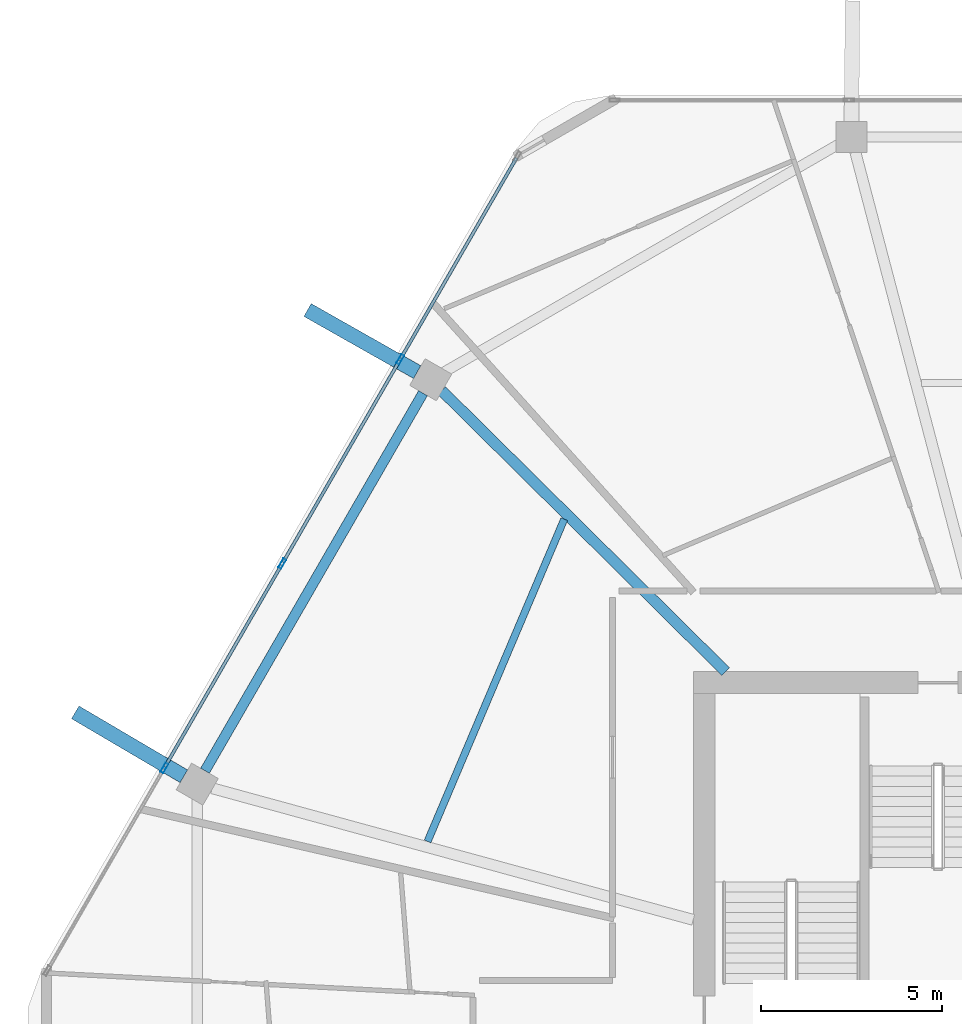
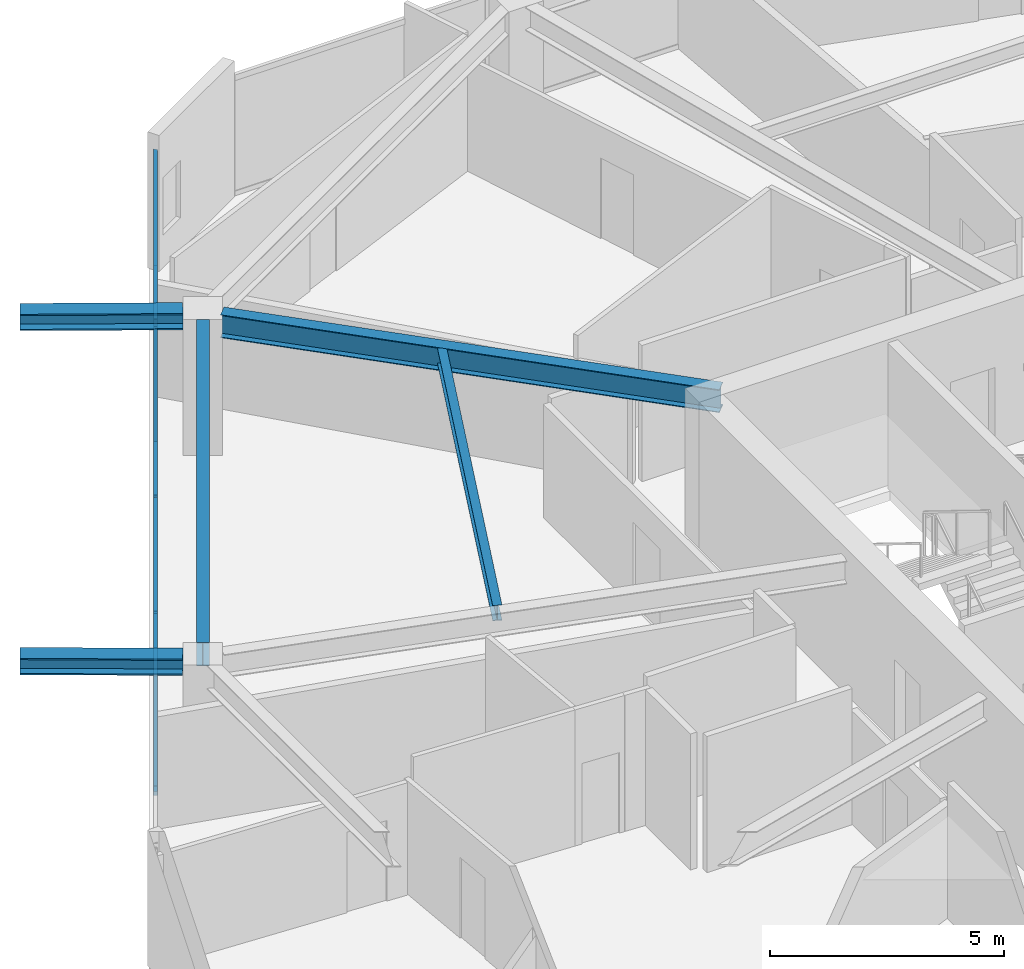
# One storey, part 11 of 26: 9 members, 5 beams, 1 element without a shape of its own.
"""IFC4 building model written with IfcOpenShell, lengths in metres."""

from ifc_helpers import new_model, si_unit, direction, frame, origin, origin_2d, place, context, subcontext, project, spatial, hollow_rectangle, i_section, extrude, material, material_profile, profile_set, type_object, element, aggregate, save


model = new_model("IFC4")

# Units and contexts
model_context = context("Model", 3, precision=1e-05, world=origin(), true_north=direction((0.0, 1.0)))
body_context = subcontext(model_context, "Body", "Model", "MODEL_VIEW")
ifc_project = project(units=[si_unit("LENGTHUNIT", "METRE"), si_unit("AREAUNIT", "SQUARE_METRE"), si_unit("VOLUMEUNIT", "CUBIC_METRE"), si_unit("PLANEANGLEUNIT", "RADIAN"), si_unit("MASSUNIT", "GRAM", prefix="KILO")], contexts=[model_context])

# Site, building, storey
site_placement = place(None, origin())
site = spatial("IfcSite", under=ifc_project, at=site_placement, CompositionType="ELEMENT")
building_placement = place(site_placement, origin())
building = spatial("IfcBuilding", under=site, at=building_placement, Name="Zuhravey Tower", CompositionType="ELEMENT")
storey_placement = place(building_placement, frame((0.0, 0.0, 295.800048828125)))
storey = spatial("IfcBuildingStorey", under=building, at=storey_placement, Name="L75", CompositionType="ELEMENT", Elevation=295.800048828125)

# Curtain wall, members
ifc_material_1 = material(Name="Thermally broken anodised aluminium", Category="aluminium")
curtain_wall_type = type_object("IfcCurtainWallType", Name="Zone 3-4 High-Rise Curtain Wall CW4", PredefinedType="NOTDEFINED", material=ifc_material_1)
curtain_wall_placement = place(storey_placement, origin())
curtain_wall = element("IfcCurtainWall", 1, at=curtain_wall_placement, inside=storey, type_object=curtain_wall_type, Name="L75 CW4 CW-L75-F3-1", PredefinedType="NOTDEFINED")
ifc_material_2 = material(Name="Anodised aluminium", Category="aluminium")
ifc_material_profile_1 = material_profile(ifc_material_2, hollow_rectangle(XDim=0.090087890625, YDim=0.284912109375, WallThickness=0.0048828125, at=origin_2d()), Name="ALU-RHS-90x285x5")
ifc_profile_set_1 = profile_set([ifc_material_profile_1], Name="Anodised aluminium")
member_type_1 = type_object("IfcMemberType", Name="Curtain-Wall Mullion 90x180", PredefinedType="MULLION", material=ifc_profile_set_1)
member_1_placement = place(storey_placement, frame((10.608154296875, 39.147216796875, 0.0), z_axis=(0.0, 0.0, 1.0), x_axis=(-0.866024851021, 0.500000957414, 0.0)))
member_1 = element("IfcMember", 2, at=member_1_placement, type_object=member_type_1, Name="CW4 mullion 2", PredefinedType="MULLION", context=body_context, shape_type="SweptSolid", body=[
    extrude(hollow_rectangle(XDim=0.090087890625, YDim=0.284912109375, WallThickness=0.0048828125, at=origin_2d()), origin(), (0.0, 0.0, 1.0), 3.1220703125),
])
member_2_placement = place(storey_placement, frame((13.861328125, 44.78173828125, 0.0), z_axis=(0.0, 0.0, 1.0), x_axis=(-0.866024851021, 0.500000957414, 0.0)))
member_2 = element("IfcMember", 3, at=member_2_placement, type_object=member_type_1, Name="CW4 mullion 3", PredefinedType="MULLION", context=body_context, shape_type="SweptSolid", body=[
    extrude(hollow_rectangle(XDim=0.090087890625, YDim=0.284912109375, WallThickness=0.0048828125, at=origin_2d()), origin(), (0.0, 0.0, 1.0), 3.1220703125),
])
member_3_placement = place(storey_placement, frame((17.114501953125, 50.41650390625, 0.0), z_axis=(0.0, 0.0, 1.0), x_axis=(-0.866024851021, 0.500000957414, 0.0)))
member_3 = element("IfcMember", 4, at=member_3_placement, type_object=member_type_1, Name="CW4 mullion 4", PredefinedType="MULLION", context=body_context, shape_type="SweptSolid", body=[
    extrude(hollow_rectangle(XDim=0.090087890625, YDim=0.284912109375, WallThickness=0.0048828125, at=origin_2d()), origin(), (0.0, 0.0, 1.0), 3.1220703125),
])
ifc_material_profile_2 = material_profile(ifc_material_2, hollow_rectangle(XDim=0.090087890625, YDim=0.14990234375, WallThickness=0.0048828125, at=origin_2d()), Name="ALU-RHS-90x150x5")
ifc_profile_set_2 = profile_set([ifc_material_profile_2], Name="Anodised aluminium")
member_type_2 = type_object("IfcMemberType", Name="Curtain-Wall Transom 90x150", PredefinedType="USERDEFINED", material=ifc_profile_set_2)
member_4_placement = place(storey_placement, frame((10.630615234375, 39.18603515625, 0.044921875), z_axis=(0.499998017366, 0.866026548456, 0.0), x_axis=(-0.866026548456, 0.499998017366, 0.0)))
member_4 = element("IfcMember", 5, at=member_4_placement, type_object=member_type_2, Name="CW4 transom 2.1", ObjectType="TRANSOM", PredefinedType="USERDEFINED", context=body_context, shape_type="SweptSolid", body=[
    extrude(hollow_rectangle(XDim=0.090087890625, YDim=0.14990234375, WallThickness=0.0048828125, at=origin_2d()), origin(), (0.0, 0.0, 1.0), 6.41650390625),
])
member_5_placement = place(storey_placement, frame((10.630615234375, 39.18603515625, 3.076904296875), z_axis=(0.499998017366, 0.866026548456, 0.0), x_axis=(-0.866026548456, 0.499998017366, 0.0)))
member_5 = element("IfcMember", 6, at=member_5_placement, type_object=member_type_2, Name="CW4 transom 2.2", ObjectType="TRANSOM", PredefinedType="USERDEFINED", context=body_context, shape_type="SweptSolid", body=[
    extrude(hollow_rectangle(XDim=0.090087890625, YDim=0.14990234375, WallThickness=0.0048828125, at=origin_2d()), origin(), (0.0, 0.0, 1.0), 6.41650390625),
])
member_6_placement = place(storey_placement, frame((13.8837890625, 44.82080078125, 0.044921875), z_axis=(0.500014493347, 0.866017035885, 0.0), x_axis=(-0.866017035885, 0.500014493347, 0.0)))
member_6 = element("IfcMember", 7, at=member_6_placement, type_object=member_type_2, Name="CW4 transom 3.1", ObjectType="TRANSOM", PredefinedType="USERDEFINED", context=body_context, shape_type="SweptSolid", body=[
    extrude(hollow_rectangle(XDim=0.090087890625, YDim=0.14990234375, WallThickness=0.0048828125, at=origin_2d()), origin(), (0.0, 0.0, 1.0), 6.416259765625),
])
member_7_placement = place(storey_placement, frame((13.8837890625, 44.82080078125, 3.076904296875), z_axis=(0.500014493347, 0.866017035885, 0.0), x_axis=(-0.866017035885, 0.500014493347, 0.0)))
member_7 = element("IfcMember", 8, at=member_7_placement, type_object=member_type_2, Name="CW4 transom 3.2", ObjectType="TRANSOM", PredefinedType="USERDEFINED", context=body_context, shape_type="SweptSolid", body=[
    extrude(hollow_rectangle(XDim=0.090087890625, YDim=0.14990234375, WallThickness=0.0048828125, at=origin_2d()), origin(), (0.0, 0.0, 1.0), 6.416259765625),
])
member_8_placement = place(storey_placement, frame((17.136962890625, 50.455322265625, 0.044921875), z_axis=(0.499980071345, 0.866036909293, 0.0), x_axis=(-0.866036909293, 0.499980071345, 0.0)))
member_8 = element("IfcMember", 9, at=member_8_placement, type_object=member_type_2, Name="CW4 transom 4.1", ObjectType="TRANSOM", PredefinedType="USERDEFINED", context=body_context, shape_type="SweptSolid", body=[
    extrude(hollow_rectangle(XDim=0.090087890625, YDim=0.14990234375, WallThickness=0.0048828125, at=origin_2d()), origin(), (0.0, 0.0, 1.0), 6.371337890625),
])
member_9_placement = place(storey_placement, frame((17.136962890625, 50.455322265625, 3.076904296875), z_axis=(0.499980071345, 0.866036909293, 0.0), x_axis=(-0.866036909293, 0.499980071345, 0.0)))
member_9 = element("IfcMember", 10, at=member_9_placement, type_object=member_type_2, Name="CW4 transom 4.2", ObjectType="TRANSOM", PredefinedType="USERDEFINED", context=body_context, shape_type="SweptSolid", body=[
    extrude(hollow_rectangle(XDim=0.090087890625, YDim=0.14990234375, WallThickness=0.0048828125, at=origin_2d()), origin(), (0.0, 0.0, 1.0), 6.371337890625),
])
aggregate(curtain_wall, [member_1, member_2, member_3, member_4, member_5, member_6, member_7, member_8, member_9])

# Beams
ifc_material_3 = material(Name="Steel SM460", Category="steel")
ifc_material_profile_3 = material_profile(ifc_material_3, i_section(OverallWidth=0.406982421875, OverallDepth=0.427978515625, WebThickness=0.02001953125, FlangeThickness=0.034912109375, at=origin_2d()), Name="H-428x407x20x35")
ifc_profile_set_3 = profile_set([ifc_material_profile_3], Name="Steel SM460")
beam_type_1 = type_object("IfcBeamType", Name="Exoskeleton Node Tie Beam H428x407", PredefinedType="BEAM", material=ifc_profile_set_3)
for number, where, z_axis, x_axis, name in (
    (11, (17.5830078125, 50.066162109375, 3.3359375), (-0.870232993638, 0.49264037267, 0.0), (-0.49264037267, -0.870232993638, 0.0), "L75 Exoskeleton Node Tie NT1-05"),
    (12, (11.145751953125, 38.91650390625, 3.3359375), (-0.861769869535, 0.507299410567, 0.0), (-0.507299410567, -0.861769869535, 0.0), "L75 Exoskeleton Node Tie NT1-06"),
):
    element("IfcBeam", number, at=place(storey_placement, frame(where, z_axis=z_axis, x_axis=x_axis)), inside=storey, type_object=beam_type_1, Name=name, PredefinedType="BEAM", context=body_context, shape_type="SweptSolid", body=[
        extrude(i_section(OverallWidth=0.406982421875, OverallDepth=0.427978515625, WebThickness=0.02001953125, FlangeThickness=0.034912109375, at=origin_2d()), origin(), (0.0, 0.0, 1.0), 3.47607421875),
    ])
ifc_material_4 = material(Name="Steel SM355", Category="steel")
ifc_material_profile_4 = material_profile(ifc_material_4, i_section(OverallWidth=0.280029296875, OverallDepth=0.6201171875, WebThickness=0.011962890625, FlangeThickness=0.02001953125, at=origin_2d()), Name="H-620x280x12x20")
ifc_profile_set_4 = profile_set([ifc_material_profile_4], Name="Steel SM355")
beam_type_2 = type_object("IfcBeamType", Name="Perimeter Ring Beam H620x280", PredefinedType="BEAM", material=ifc_profile_set_4)
beam_1_placement = place(storey_placement, frame((17.742431640625, 49.484130859375, 3.239990234375), z_axis=(-0.500005971936, -0.866021955858, 0.0), x_axis=(0.866021955858, -0.500005971936, 0.0)))
element("IfcBeam", 13, at=beam_1_placement, inside=storey, type_object=beam_type_2, Name="L75 PB3 BM-L75-PB-05", PredefinedType="BEAM", context=body_context, shape_type="SweptSolid", body=[
    extrude(i_section(OverallWidth=0.280029296875, OverallDepth=0.6201171875, WebThickness=0.011962890625, FlangeThickness=0.02001953125, at=origin_2d()), origin(), (0.0, 0.0, 1.0), 12.025634765625),
])
ifc_material_profile_5 = material_profile(ifc_material_4, i_section(OverallWidth=0.300048828125, OverallDepth=0.60009765625, WebThickness=0.011962890625, FlangeThickness=0.02001953125, at=origin_2d()), Name="H-600x300x12x20")
ifc_profile_set_5 = profile_set([ifc_material_profile_5], Name="Steel SM355")
beam_type_3 = type_object("IfcBeamType", Name="Radial Primary Girder H600x300", PredefinedType="BEAM", material=ifc_profile_set_5)
beam_2_placement = place(storey_placement, frame((26.09326171875, 41.802978515625, 3.25), z_axis=(-0.710808169267, 0.70338591577, 0.0), x_axis=(-0.70338591577, -0.710808169267, 0.0)))
element("IfcBeam", 14, at=beam_2_placement, inside=storey, type_object=beam_type_3, Name="L75 RG3 BM-L75-RAD-05", PredefinedType="BEAM", context=body_context, shape_type="SweptSolid", body=[
    extrude(i_section(OverallWidth=0.300048828125, OverallDepth=0.60009765625, WebThickness=0.011962890625, FlangeThickness=0.02001953125, at=origin_2d()), origin(), (0.0, 0.0, 1.0), 11.019287109375),
])
ifc_material_profile_6 = material_profile(ifc_material_4, i_section(OverallWidth=0.199951171875, OverallDepth=0.39990234375, WebThickness=0.008056640625, FlangeThickness=0.012939453125, at=origin_2d()), Name="H-400x200x8x13")
ifc_profile_set_6 = profile_set([ifc_material_profile_6], Name="Steel SM355")
beam_type_4 = type_object("IfcBeamType", Name="Secondary Floor Joist H400x200", PredefinedType="JOIST", material=ifc_profile_set_6)
beam_3_placement = place(storey_placement, frame((21.63916015625, 46.009033203125, 3.349853515625), z_axis=(-0.390413493754, -0.920639616731, 0.0), x_axis=(0.920639616731, -0.390413493754, 0.0)))
element("IfcBeam", 15, at=beam_3_placement, inside=storey, type_object=beam_type_4, Name="L75 SJ2 BM-L75-SJ-05-1", PredefinedType="JOIST", context=body_context, shape_type="SweptSolid", body=[
    extrude(i_section(OverallWidth=0.199951171875, OverallDepth=0.39990234375, WebThickness=0.008056640625, FlangeThickness=0.012939453125, at=origin_2d()), origin(), (0.0, 0.0, 1.0), 9.656494140625),
])

save(model, "model.ifc")
